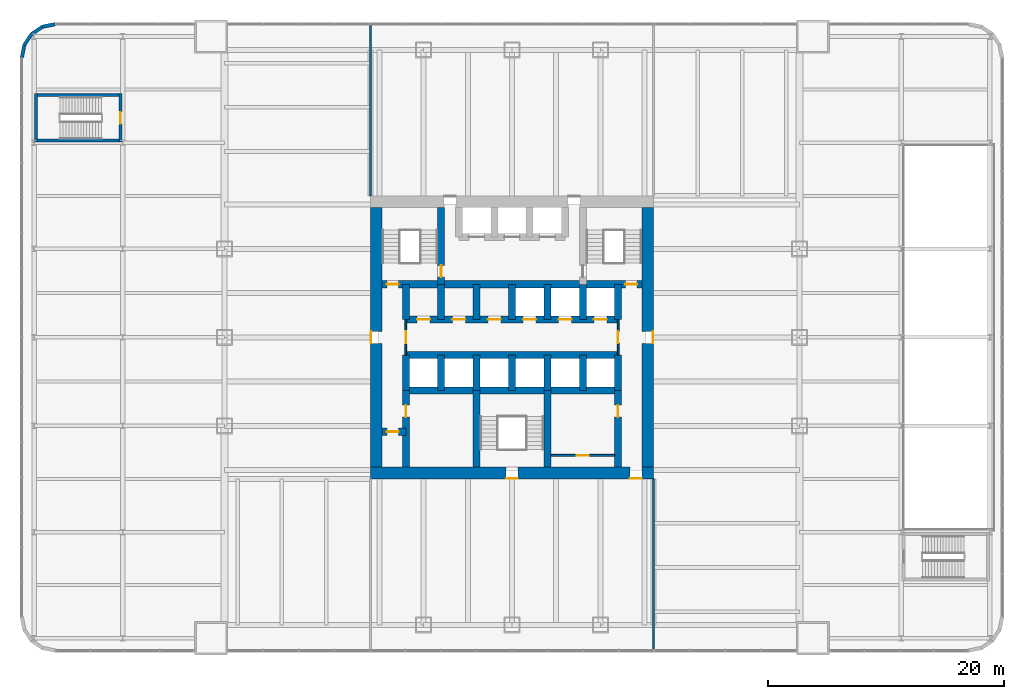
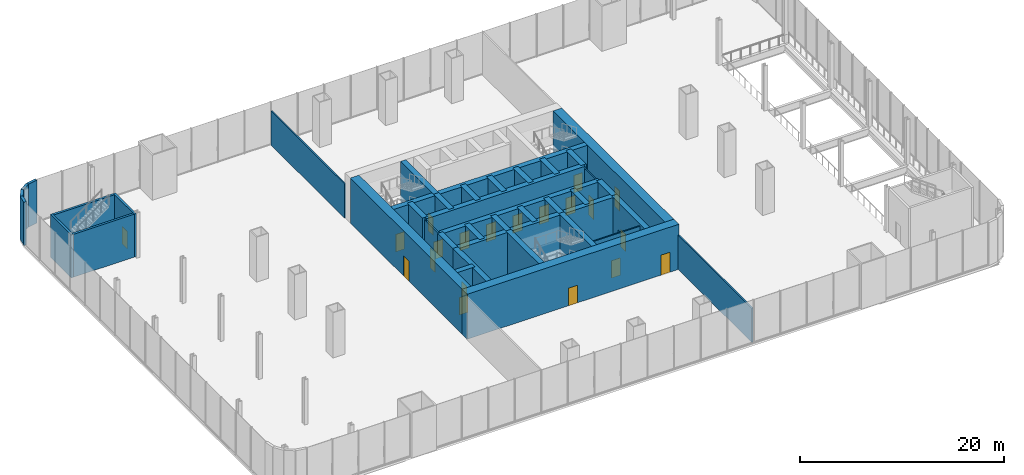
# One storey, part 12 of 16: 40 walls, 20 doors, 20 openings.
"""IFC4 building model written with IfcOpenShell, lengths in metres."""

import ifcopenshell
import ifcopenshell.guid

model = None  # the IFC model being written
_history = None  # IfcOwnerHistory: only IFC2X3 demands one
_inside = {}  # id of a spatial element -> (the spatial element, [elements in it])
_under = {}  # id of a project, library or spatial element -> (it, [spatial elements below it])
_declared = {}  # id of a project -> (the project, [libraries it declares])
_typed = {}  # id of a type object -> (the type object, [elements of that type])
_made_of = {}  # id of a material, layer set ... -> (it, [elements and type objects made of it])


def new_model(schema):
    """Start an empty IFC model of exactly this schema.

    Asked for "IFC4X3", IfcOpenShell would pick the latest addendum, in which some entities
    have other attributes; the version numbers below select the first issue.
    IFC2X3 requires an IfcOwnerHistory on every rooted entity: one is made here for all.
    """
    global model, _history
    if schema == "IFC4X3":
        model = ifcopenshell.file(schema_version=(4, 3, 0, 0))
    else:
        model = ifcopenshell.file(schema=schema)
    _inside.clear()
    _under.clear()
    _declared.clear()
    _typed.clear()
    _made_of.clear()
    _history = None
    if model.schema == "IFC2X3":
        org = make("IfcOrganization", Name="unknown")
        user = make(
            "IfcPersonAndOrganization",
            ThePerson=make("IfcPerson", FamilyName="unknown"),
            TheOrganization=org,
        )
        app = make(
            "IfcApplication",
            ApplicationDeveloper=org,
            Version="unknown",
            ApplicationFullName="unknown",
            ApplicationIdentifier="unknown",
        )
        _history = make(
            "IfcOwnerHistory",
            OwningUser=user,
            OwningApplication=app,
            ChangeAction="ADDED",
            CreationDate=0,
        )
    return model


def make(cls, **values):
    """One entity of the class cls with the attributes given. An attribute that is None is left unset."""
    return model.create_entity(
        cls, **{name: value for name, value in values.items() if value is not None}
    )


def rooted(cls, **values):
    """An entity with a GlobalId (a new one), such as an element, a storey or a relation."""
    return make(cls, GlobalId=ifcopenshell.guid.new(), OwnerHistory=_history, **values)


def si_unit(unit_type, name, prefix=None):
    """IfcSIUnit, for example si_unit("LENGTHUNIT", "METRE", prefix="MILLI")."""
    return make("IfcSIUnit", UnitType=unit_type, Prefix=prefix, Name=name)


def assignment(units):
    """IfcUnitAssignment: the units of a project."""
    return None if units is None else make("IfcUnitAssignment", Units=units)


def point(xyz):
    """IfcCartesianPoint."""
    return None if xyz is None else make("IfcCartesianPoint", Coordinates=xyz)


def direction(xyz):
    """IfcDirection."""
    return None if xyz is None else make("IfcDirection", DirectionRatios=xyz)


def frame(location, z_axis=None, x_axis=None):
    """IfcAxis2Placement3D, a coordinate frame: its origin and axes. An axis left out is left unset."""
    return make(
        "IfcAxis2Placement3D",
        Location=point(location),
        Axis=direction(z_axis),
        RefDirection=direction(x_axis),
    )


def frame_2d(location, x_axis=None):
    """IfcAxis2Placement2D, a coordinate frame in the plane: its origin and x axis."""
    return make(
        "IfcAxis2Placement2D", Location=point(location), RefDirection=direction(x_axis)
    )


def origin():
    """The frame at (0, 0, 0) with its axes left unset."""
    return frame((0.0, 0.0, 0.0))


def place(relative_to, where):
    """IfcLocalPlacement: puts the frame where relative to a parent placement (None: the world)."""
    return make(
        "IfcLocalPlacement", PlacementRelTo=relative_to, RelativePlacement=where
    )


def context(
    kind, dimensions, precision=None, world=None, true_north=None, identifier=None
):
    """IfcGeometricRepresentationContext, for example the 3D "Model" context."""
    return make(
        "IfcGeometricRepresentationContext",
        ContextIdentifier=identifier,
        ContextType=kind,
        CoordinateSpaceDimension=dimensions,
        Precision=precision,
        WorldCoordinateSystem=world,
        TrueNorth=true_north,
    )


def subcontext(parent, identifier, kind, view, scale=None):
    """IfcGeometricRepresentationSubContext, for example "Body" below "Model"."""
    return make(
        "IfcGeometricRepresentationSubContext",
        ContextIdentifier=identifier,
        ContextType=kind,
        ParentContext=parent,
        TargetScale=scale,
        TargetView=view,
    )


def project(units=None, contexts=None):
    """IfcProject with its units and contexts."""
    return rooted(
        "IfcProject",
        Name="project",
        RepresentationContexts=contexts,
        UnitsInContext=assignment(units),
    )


def spatial(cls, under=None, at=None, **own):
    """A site, building, storey or space (cls), placed at a placement, below another one or the project."""
    s = rooted(cls, ObjectPlacement=at, **own)
    if under is not None:
        _under.setdefault(under.id(), (under, []))[1].append(s)
    return s


def profile(cls, at=None, kind="AREA", **sizes):
    """A parametric profile (cls). Its sizes go by their IFC names, for example OverallWidth=200.0."""
    return make(cls, ProfileType=kind, Position=at, **sizes)


def rectangle(**sizes):
    """IfcRectangleProfileDef."""
    return profile("IfcRectangleProfileDef", **sizes)


def extrude(swept, where, along, depth):
    """IfcExtrudedAreaSolid: the profile swept, set in the frame where, extruded along a direction by depth."""
    return make(
        "IfcExtrudedAreaSolid",
        SweptArea=swept,
        Position=where,
        ExtrudedDirection=direction(along),
        Depth=depth,
    )


def shape(context_of_items, identifier, shape_type, items):
    """IfcShapeRepresentation: the items that make up one representation, for example the "Body"."""
    return make(
        "IfcShapeRepresentation",
        ContextOfItems=context_of_items,
        RepresentationIdentifier=identifier,
        RepresentationType=shape_type,
        Items=items,
    )


def material(Name=None, Category=None):
    """IfcMaterial."""
    return make("IfcMaterial", Name=Name, Category=Category)


def layer(
    of_material, thickness, ventilated=None, Name=None, Category=None, Priority=None
):
    """IfcMaterialLayer: one layer of a wall or slab, of a material (None: an air gap)."""
    return make(
        "IfcMaterialLayer",
        Material=of_material,
        LayerThickness=thickness,
        IsVentilated=ventilated,
        Name=Name,
        Category=Category,
        Priority=Priority,
    )


def layer_set(layers, Name=None):
    """IfcMaterialLayerSet."""
    return make("IfcMaterialLayerSet", MaterialLayers=layers, LayerSetName=Name)


def made_of(thing, what):
    """Note that an element or type object is made of a material, layer set ...; save() writes the relation."""
    if what is not None:
        _made_of.setdefault(what.id(), (what, []))[1].append(thing)
    return thing


def type_object(cls, material=None, **own):
    """A type object (cls), such as IfcWallType, which elements share."""
    return made_of(rooted(cls, **own), material)


def element(
    cls,
    number,
    at=None,
    inside=None,
    cuts=None,
    type_object=None,
    material=None,
    context=None,
    identifier="Body",
    shape_type=None,
    held_by="IfcProductDefinitionShape",
    body=None,
    shapes=None,
    **own,
):
    """One element of the class cls, such as IfcWall. Its Tag is "e" and its number.

    at: its placement. inside: the storey or other place that contains it. cuts: it is an
    opening in that element (IfcRelVoidsElement). A single representation is given by context,
    identifier, shape_type and body (its items); several are given by shapes. held_by: the class
    of the entity that holds the representations. save() writes the other relations.
    """
    e = rooted(cls, Tag="e%d" % number, ObjectPlacement=at, **own)
    if body is not None:
        shapes = [shape(context, identifier, shape_type, body)]
    if shapes is not None:
        e.Representation = make(held_by, Representations=shapes)
    if inside is not None:
        _inside.setdefault(inside.id(), (inside, []))[1].append(e)
    if cuts is not None:
        rooted(
            "IfcRelVoidsElement", RelatingBuildingElement=cuts, RelatedOpeningElement=e
        )
    if type_object is not None:
        _typed.setdefault(type_object.id(), (type_object, []))[1].append(e)
    return made_of(e, material)


def fill(opening, filler):
    """IfcRelFillsElement: the door or window that sits in an opening."""
    return rooted(
        "IfcRelFillsElement",
        RelatingOpeningElement=opening,
        RelatedBuildingElement=filler,
    )


def aggregate(whole, parts):
    """IfcRelAggregates: a whole, such as a stair, and the parts it consists of."""
    return rooted("IfcRelAggregates", RelatingObject=whole, RelatedObjects=parts)


def save(model, path):
    """Write the relations noted so far, then the file.

    IfcRelAggregates (storeys below a building ...), IfcRelContainedInSpatialStructure (elements
    in a storey), IfcRelDefinesByType, IfcRelAssociatesMaterial and IfcRelDeclares: one each for
    every whole, place, type object, material and project.
    """
    for whole, parts in _under.values():
        aggregate(whole, parts)
    for where, things in _inside.values():
        rooted(
            "IfcRelContainedInSpatialStructure",
            RelatedElements=things,
            RelatingStructure=where,
        )
    for kind, things in _typed.values():
        rooted("IfcRelDefinesByType", RelatedObjects=things, RelatingType=kind)
    for what, things in _made_of.values():
        rooted("IfcRelAssociatesMaterial", RelatedObjects=things, RelatingMaterial=what)
    for by, libraries in _declared.values():
        rooted("IfcRelDeclares", RelatingContext=by, RelatedDefinitions=libraries)
    model.write(path)


model = new_model("IFC4")

# Units and contexts
model_context = context("Model", 3, precision=1e-05, world=origin(), true_north=direction((0.0, 1.0)))
body_context = subcontext(model_context, "Body", "Model", "MODEL_VIEW")
ifc_project = project(units=[si_unit("LENGTHUNIT", "METRE"), si_unit("AREAUNIT", "SQUARE_METRE"), si_unit("VOLUMEUNIT", "CUBIC_METRE"), si_unit("PLANEANGLEUNIT", "RADIAN"), si_unit("MASSUNIT", "GRAM", prefix="KILO")], contexts=[model_context])

# Site, building, storey
site_placement = place(None, origin())
site = spatial("IfcSite", under=ifc_project, at=site_placement, CompositionType="ELEMENT")
building_placement = place(site_placement, origin())
building = spatial("IfcBuilding", under=site, at=building_placement, Name="Tarangal Relay Tower", CompositionType="ELEMENT")
storey_placement = place(building_placement, frame((0.0, 0.0, 7.199951171875)))
storey = spatial("IfcBuildingStorey", under=building, at=storey_placement, Name="L01", CompositionType="ELEMENT", Elevation=7.199951171875)

# Wall, openings, doors
ifc_material_1 = material(Name="Concrete fc' 60 MPa", Category="concrete")
ifc_layer_1 = layer(ifc_material_1, 0.60009765625)
ifc_layer_set_1 = layer_set([ifc_layer_1], Name="Core inner wall 600")
wall_type_1 = type_object("IfcWallType", Name="Core inner wall 600", PredefinedType="SHEAR", material=ifc_layer_set_1)
wall_1_placement = place(storey_placement, frame((-11.0, 4.5, 0.0), z_axis=(0.0, 0.0, 1.0), x_axis=(1.0, 0.0, 0.0)))
wall_1 = element("IfcWall", 1, at=wall_1_placement, inside=storey, type_object=wall_type_1, Name="Core wall Y45 L01", PredefinedType="SHEAR", context=body_context, shape_type="SweptSolid", body=[
    extrude(rectangle(XDim=22.0, YDim=0.60009765625, at=frame_2d((11.0, 0.0))), origin(), (0.0, 0.0, 1.0), 5.400146484375),
])
opening_1_placement = place(wall_1_placement, frame((0.39990234375, 0.0, 0.0)))
opening_1 = element("IfcOpeningElement", 2, at=opening_1_placement, cuts=wall_1, Name="Opening FD1", PredefinedType="OPENING", context=body_context, shape_type="SweptSolid", body=[
    extrude(rectangle(XDim=1.0, YDim=2.10009765625, at=frame_2d((0.5, 1.050048828125))), frame((0.0, 0.31005859375, 0.0), z_axis=(0.0, -1.0, 0.0), x_axis=(1.0, 0.0, 0.0)), (0.0, 0.0, 1.0), 0.6201171875),
])
opening_2_placement = place(wall_1_placement, frame((20.60009765625, 0.0, 0.0)))
opening_2 = element("IfcOpeningElement", 3, at=opening_2_placement, cuts=wall_1, Name="Opening FD1", PredefinedType="OPENING", context=body_context, shape_type="SweptSolid", body=[
    extrude(rectangle(XDim=1.0, YDim=2.10009765625, at=frame_2d((0.5, 1.050048828125))), frame((0.0, 0.31005859375, 0.0), z_axis=(0.0, -1.0, 0.0), x_axis=(1.0, 0.0, 0.0)), (0.0, 0.0, 1.0), 0.6201171875),
])
ifc_material_2 = material(Name="Steel door with hardwood frame", Category="steel")
door_type_1 = type_object("IfcDoorType", Name="Fire door 1000 x 2100", OperationType="SINGLE_SWING_LEFT", PredefinedType="DOOR", material=ifc_material_2)
door_1_placement = place(opening_1_placement, origin())
door_1 = element("IfcDoor", 4, at=door_1_placement, inside=storey, type_object=door_type_1, Name="Stair ST-A door from corridor L01", OperationType="SINGLE_SWING_LEFT", OverallHeight=2.10009765625, OverallWidth=1.0, PredefinedType="DOOR", context=body_context, shape_type="SweptSolid", body=[
    extrude(rectangle(XDim=1.0, YDim=2.10009765625, at=frame_2d((0.5, 1.050048828125))), frame((0.0, 0.02490234375, 0.0), z_axis=(0.0, -1.0, 0.0), x_axis=(1.0, 0.0, 0.0)), (0.0, 0.0, 1.0), 0.050048828125),
])
fill(opening_1, door_1)
door_2_placement = place(opening_2_placement, origin())
door_2 = element("IfcDoor", 5, at=door_2_placement, inside=storey, type_object=door_type_1, Name="Stair ST-B door from corridor L01", OperationType="SINGLE_SWING_LEFT", OverallHeight=2.10009765625, OverallWidth=1.0, PredefinedType="DOOR", context=body_context, shape_type="SweptSolid", body=[
    extrude(rectangle(XDim=1.0, YDim=2.10009765625, at=frame_2d((0.5, 1.050048828125))), frame((0.0, 0.02490234375, 0.0), z_axis=(0.0, -1.0, 0.0), x_axis=(1.0, 0.0, 0.0)), (0.0, 0.0, 1.0), 0.050048828125),
])
fill(opening_2, door_2)

wall_2_placement = place(storey_placement, frame((-9.0, 1.5, 0.0), z_axis=(0.0, 0.0, 1.0), x_axis=(1.0, 0.0, 0.0)))
wall_2 = element("IfcWall", 6, at=wall_2_placement, inside=storey, type_object=wall_type_1, Name="Core wall Y15 L01", PredefinedType="SHEAR", context=body_context, shape_type="SweptSolid", body=[
    extrude(rectangle(XDim=18.0, YDim=0.60009765625, at=frame_2d((9.0, 0.0))), origin(), (0.0, 0.0, 1.0), 5.400146484375),
])
opening_3_placement = place(wall_2_placement, frame((9.949951171875, 0.0, 0.0)))
opening_3 = element("IfcOpeningElement", 7, at=opening_3_placement, cuts=wall_2, Name="Opening LD1", PredefinedType="OPENING", context=body_context, shape_type="SweptSolid", body=[
    extrude(rectangle(XDim=1.10009765625, YDim=2.10009765625, at=frame_2d((0.550048828125, 1.050048828125))), frame((0.0, 0.31005859375, 0.0), z_axis=(0.0, -1.0, 0.0), x_axis=(1.0, 0.0, 0.0)), (0.0, 0.0, 1.0), 0.6201171875),
])
opening_4_placement = place(wall_2_placement, frame((12.949951171875, 0.0, 0.0)))
opening_4 = element("IfcOpeningElement", 8, at=opening_4_placement, cuts=wall_2, Name="Opening LD1", PredefinedType="OPENING", context=body_context, shape_type="SweptSolid", body=[
    extrude(rectangle(XDim=1.10009765625, YDim=2.10009765625, at=frame_2d((0.550048828125, 1.050048828125))), frame((0.0, 0.31005859375, 0.0), z_axis=(0.0, -1.0, 0.0), x_axis=(1.0, 0.0, 0.0)), (0.0, 0.0, 1.0), 0.6201171875),
])
opening_5_placement = place(wall_2_placement, frame((15.949951171875, 0.0, 0.0)))
opening_5 = element("IfcOpeningElement", 9, at=opening_5_placement, cuts=wall_2, Name="Opening LD1", PredefinedType="OPENING", context=body_context, shape_type="SweptSolid", body=[
    extrude(rectangle(XDim=1.10009765625, YDim=2.10009765625, at=frame_2d((0.550048828125, 1.050048828125))), frame((0.0, 0.31005859375, 0.0), z_axis=(0.0, -1.0, 0.0), x_axis=(1.0, 0.0, 0.0)), (0.0, 0.0, 1.0), 0.6201171875),
])
opening_6_placement = place(wall_2_placement, frame((0.949951171875, 0.0, 0.0)))
opening_6 = element("IfcOpeningElement", 10, at=opening_6_placement, cuts=wall_2, Name="Opening D4", PredefinedType="OPENING", context=body_context, shape_type="SweptSolid", body=[
    extrude(rectangle(XDim=1.10009765625, YDim=2.10009765625, at=frame_2d((0.550048828125, 1.050048828125))), frame((0.0, 0.31005859375, 0.0), z_axis=(0.0, -1.0, 0.0), x_axis=(1.0, 0.0, 0.0)), (0.0, 0.0, 1.0), 0.6201171875),
])
opening_7_placement = place(wall_2_placement, frame((3.949951171875, 0.0, 0.0)))
opening_7 = element("IfcOpeningElement", 11, at=opening_7_placement, cuts=wall_2, Name="Opening D4", PredefinedType="OPENING", context=body_context, shape_type="SweptSolid", body=[
    extrude(rectangle(XDim=1.10009765625, YDim=2.10009765625, at=frame_2d((0.550048828125, 1.050048828125))), frame((0.0, 0.31005859375, 0.0), z_axis=(0.0, -1.0, 0.0), x_axis=(1.0, 0.0, 0.0)), (0.0, 0.0, 1.0), 0.6201171875),
])
opening_8_placement = place(wall_2_placement, frame((6.949951171875, 0.0, 0.0)))
opening_8 = element("IfcOpeningElement", 12, at=opening_8_placement, cuts=wall_2, Name="Opening D4", PredefinedType="OPENING", context=body_context, shape_type="SweptSolid", body=[
    extrude(rectangle(XDim=1.10009765625, YDim=2.10009765625, at=frame_2d((0.550048828125, 1.050048828125))), frame((0.0, 0.31005859375, 0.0), z_axis=(0.0, -1.0, 0.0), x_axis=(1.0, 0.0, 0.0)), (0.0, 0.0, 1.0), 0.6201171875),
])
door_type_2 = type_object("IfcDoorType", Name="Core room door 1100 x 2100", OperationType="SINGLE_SWING_RIGHT", PredefinedType="DOOR", material=ifc_material_2)
door_3_placement = place(opening_6_placement, origin())
door_3 = element("IfcDoor", 13, at=door_3_placement, inside=storey, type_object=door_type_2, Name="Door D4 to it room L01-D1", OperationType="SINGLE_SWING_RIGHT", OverallHeight=2.10009765625, OverallWidth=1.10009765625, PredefinedType="DOOR", context=body_context, shape_type="SweptSolid", body=[
    extrude(rectangle(XDim=1.10009765625, YDim=2.10009765625, at=frame_2d((0.550048828125, 1.050048828125))), frame((0.0, 0.02490234375, 0.0), z_axis=(0.0, -1.0, 0.0), x_axis=(1.0, 0.0, 0.0)), (0.0, 0.0, 1.0), 0.050048828125),
])
fill(opening_6, door_3)
door_4_placement = place(opening_7_placement, origin())
door_4 = element("IfcDoor", 14, at=door_4_placement, inside=storey, type_object=door_type_2, Name="Door D4 to back-of-house plant room L01-D2", OperationType="SINGLE_SWING_RIGHT", OverallHeight=2.10009765625, OverallWidth=1.10009765625, PredefinedType="DOOR", context=body_context, shape_type="SweptSolid", body=[
    extrude(rectangle(XDim=1.10009765625, YDim=2.10009765625, at=frame_2d((0.550048828125, 1.050048828125))), frame((0.0, 0.02490234375, 0.0), z_axis=(0.0, -1.0, 0.0), x_axis=(1.0, 0.0, 0.0)), (0.0, 0.0, 1.0), 0.050048828125),
])
fill(opening_7, door_4)
door_5_placement = place(opening_8_placement, origin())
door_5 = element("IfcDoor", 15, at=door_5_placement, inside=storey, type_object=door_type_2, Name="Door D4 to staff pantry L01-D3", OperationType="SINGLE_SWING_RIGHT", OverallHeight=2.10009765625, OverallWidth=1.10009765625, PredefinedType="DOOR", context=body_context, shape_type="SweptSolid", body=[
    extrude(rectangle(XDim=1.10009765625, YDim=2.10009765625, at=frame_2d((0.550048828125, 1.050048828125))), frame((0.0, 0.02490234375, 0.0), z_axis=(0.0, -1.0, 0.0), x_axis=(1.0, 0.0, 0.0)), (0.0, 0.0, 1.0), 0.050048828125),
])
fill(opening_8, door_5)
door_type_3 = type_object("IfcDoorType", Name="Lift landing door 1100 x 2100", OperationType="SLIDING_TO_LEFT", PredefinedType="DOOR", material=ifc_material_2)
door_6_placement = place(opening_3_placement, origin())
door_6 = element("IfcDoor", 16, at=door_6_placement, inside=storey, type_object=door_type_3, Name="Lift T1 landing door L01", OperationType="SLIDING_TO_LEFT", OverallHeight=2.10009765625, OverallWidth=1.10009765625, PredefinedType="DOOR", context=body_context, shape_type="SweptSolid", body=[
    extrude(rectangle(XDim=1.10009765625, YDim=2.10009765625, at=frame_2d((0.550048828125, 1.050048828125))), frame((0.0, 0.02490234375, 0.0), z_axis=(0.0, -1.0, 0.0), x_axis=(1.0, 0.0, 0.0)), (0.0, 0.0, 1.0), 0.050048828125),
])
fill(opening_3, door_6)
door_7_placement = place(opening_4_placement, origin())
door_7 = element("IfcDoor", 17, at=door_7_placement, inside=storey, type_object=door_type_3, Name="Lift T2 landing door L01", OperationType="SLIDING_TO_LEFT", OverallHeight=2.10009765625, OverallWidth=1.10009765625, PredefinedType="DOOR", context=body_context, shape_type="SweptSolid", body=[
    extrude(rectangle(XDim=1.10009765625, YDim=2.10009765625, at=frame_2d((0.550048828125, 1.050048828125))), frame((0.0, 0.02490234375, 0.0), z_axis=(0.0, -1.0, 0.0), x_axis=(1.0, 0.0, 0.0)), (0.0, 0.0, 1.0), 0.050048828125),
])
fill(opening_4, door_7)
door_8_placement = place(opening_5_placement, origin())
door_8 = element("IfcDoor", 18, at=door_8_placement, inside=storey, type_object=door_type_3, Name="Lift T3 landing door L01", OperationType="SLIDING_TO_LEFT", OverallHeight=2.10009765625, OverallWidth=1.10009765625, PredefinedType="DOOR", context=body_context, shape_type="SweptSolid", body=[
    extrude(rectangle(XDim=1.10009765625, YDim=2.10009765625, at=frame_2d((0.550048828125, 1.050048828125))), frame((0.0, 0.02490234375, 0.0), z_axis=(0.0, -1.0, 0.0), x_axis=(1.0, 0.0, 0.0)), (0.0, 0.0, 1.0), 0.050048828125),
])
fill(opening_5, door_8)

# Walls
for number, where, z_axis, x_axis, name in (
    (19, (-9.0, -1.5, 0.0), (0.0, 0.0, 1.0), (1.0, 0.0, 0.0), "Core wall YM15 L01"),
    (20, (-9.0, -4.5, 0.0), (0.0, 0.0, 1.0), (1.0, 0.0, 0.0), "Core wall YM45 L01"),
):
    element("IfcWall", number, at=place(storey_placement, frame(where, z_axis=z_axis, x_axis=x_axis)), inside=storey, type_object=wall_type_1, Name=name, PredefinedType="SHEAR", context=body_context, shape_type="SweptSolid", body=[
        extrude(rectangle(XDim=18.0, YDim=0.60009765625, at=frame_2d((9.0, 0.0))), origin(), (0.0, 0.0, 1.0), 5.400146484375),
    ])

# Wall, opening, door
wall_3_placement = place(storey_placement, frame((-11.0, -8.0, 0.0), z_axis=(0.0, 0.0, 1.0), x_axis=(1.0, 0.0, 0.0)))
wall_3 = element("IfcWall", 21, at=wall_3_placement, inside=storey, type_object=wall_type_1, Name="Core wall YM8 L01", PredefinedType="SHEAR", context=body_context, shape_type="SweptSolid", body=[
    extrude(rectangle(XDim=2.0, YDim=0.60009765625, at=frame_2d((1.0, 0.0))), origin(), (0.0, 0.0, 1.0), 5.400146484375),
])
opening_9_placement = place(wall_3_placement, frame((0.39990234375, 0.0, 0.0)))
opening_9 = element("IfcOpeningElement", 22, at=opening_9_placement, cuts=wall_3, Name="Opening D1", PredefinedType="OPENING", context=body_context, shape_type="SweptSolid", body=[
    extrude(rectangle(XDim=1.0, YDim=2.10009765625, at=frame_2d((0.5, 1.050048828125))), frame((0.0, 0.31005859375, 0.0), z_axis=(0.0, -1.0, 0.0), x_axis=(1.0, 0.0, 0.0)), (0.0, 0.0, 1.0), 0.6201171875),
])
ifc_material_3 = material(Name="Hardwood door", Category="wood")
door_type_4 = type_object("IfcDoorType", Name="WC door 1000 x 2100", OperationType="SINGLE_SWING_LEFT", PredefinedType="DOOR", material=ifc_material_3)
door_9_placement = place(opening_9_placement, origin())
door_9 = element("IfcDoor", 23, at=door_9_placement, inside=storey, type_object=door_type_4, Name="Accessible WC door L01", OperationType="SINGLE_SWING_LEFT", OverallHeight=2.10009765625, OverallWidth=1.0, PredefinedType="DOOR", context=body_context, shape_type="SweptSolid", body=[
    extrude(rectangle(XDim=1.0, YDim=2.10009765625, at=frame_2d((0.5, 1.050048828125))), frame((0.0, 0.02490234375, 0.0), z_axis=(0.0, -1.0, 0.0), x_axis=(1.0, 0.0, 0.0)), (0.0, 0.0, 1.0), 0.050048828125),
])
fill(opening_9, door_9)

# Walls
for number, where, z_axis, x_axis, name in (
    (24, (-9.0, 1.5, 0.0), (0.0, 0.0, 1.0), (0.0, 1.0, 0.0), "Core wall XM9N L01"),
    (25, (9.0, 1.5, 0.0), (0.0, 0.0, 1.0), (0.0, 1.0, 0.0), "Core wall X9N L01"),
    (26, (-9.0, -4.5, 0.0), (0.0, 0.0, 1.0), (0.0, 1.0, 0.0), "Core wall XM9S L01"),
    (27, (9.0, -4.5, 0.0), (0.0, 0.0, 1.0), (0.0, 1.0, 0.0), "Core wall X9S L01"),
    (28, (-6.0, 1.5, 0.0), (0.0, 0.0, 1.0), (0.0, 1.0, 0.0), "Core wall XM6N L01"),
    (29, (-3.0, 1.5, 0.0), (0.0, 0.0, 1.0), (0.0, 1.0, 0.0), "Core wall XM3N L01"),
    (30, (0.0, 1.5, 0.0), (0.0, 0.0, 1.0), (0.0, 1.0, 0.0), "Core wall X0N L01"),
    (31, (3.0, 1.5, 0.0), (0.0, 0.0, 1.0), (0.0, 1.0, 0.0), "Core wall X3N L01"),
    (32, (6.0, 1.5, 0.0), (0.0, 0.0, 1.0), (0.0, 1.0, 0.0), "Core wall X6N L01"),
    (33, (-6.0, -4.5, 0.0), (0.0, 0.0, 1.0), (0.0, 1.0, 0.0), "Core wall XM6S L01"),
    (34, (-3.0, -4.5, 0.0), (0.0, 0.0, 1.0), (0.0, 1.0, 0.0), "Core wall XM3S L01"),
    (35, (0.0, -4.5, 0.0), (0.0, 0.0, 1.0), (0.0, 1.0, 0.0), "Core wall X0S L01"),
    (36, (3.0, -4.5, 0.0), (0.0, 0.0, 1.0), (0.0, 1.0, 0.0), "Core wall X3S L01"),
    (37, (6.0, -4.5, 0.0), (0.0, 0.0, 1.0), (0.0, 1.0, 0.0), "Core wall X6S L01"),
):
    element("IfcWall", number, at=place(storey_placement, frame(where, z_axis=z_axis, x_axis=x_axis)), inside=storey, type_object=wall_type_1, Name=name, PredefinedType="SHEAR", context=body_context, shape_type="SweptSolid", body=[
        extrude(rectangle(XDim=3.0, YDim=0.60009765625, at=frame_2d((1.5, 0.0))), origin(), (0.0, 0.0, 1.0), 5.400146484375),
    ])

# Wall, opening, door
wall_4_placement = place(storey_placement, frame((-6.0, 4.5, 0.0), z_axis=(0.0, 0.0, 1.0), x_axis=(0.0, 1.0, 0.0)))
wall_4 = element("IfcWall", 38, at=wall_4_placement, inside=storey, type_object=wall_type_1, Name="Core wall XM6 L01", PredefinedType="SHEAR", context=body_context, shape_type="SweptSolid", body=[
    extrude(rectangle(XDim=6.5, YDim=0.60009765625, at=frame_2d((3.25, 0.0))), origin(), (0.0, 0.0, 1.0), 5.400146484375),
])
opening_10_placement = place(wall_4_placement, frame((0.60009765625, 0.0, 0.0)))
opening_10 = element("IfcOpeningElement", 39, at=opening_10_placement, cuts=wall_4, Name="Opening FD1", PredefinedType="OPENING", context=body_context, shape_type="SweptSolid", body=[
    extrude(rectangle(XDim=1.0, YDim=2.10009765625, at=frame_2d((0.5, 1.050048828125))), frame((0.0, 0.31005859375, 0.0), z_axis=(0.0, -1.0, 0.0), x_axis=(1.0, 0.0, 0.0)), (0.0, 0.0, 1.0), 0.6201171875),
])
door_10_placement = place(opening_10_placement, origin())
door_10 = element("IfcDoor", 40, at=door_10_placement, inside=storey, type_object=door_type_1, Name="Stair ST-A door from fire-fighting lobby L01", OperationType="SINGLE_SWING_LEFT", OverallHeight=2.10009765625, OverallWidth=1.0, PredefinedType="DOOR", context=body_context, shape_type="SweptSolid", body=[
    extrude(rectangle(XDim=1.0, YDim=2.10009765625, at=frame_2d((0.5, 1.050048828125))), frame((0.0, 0.02490234375, 0.0), z_axis=(0.0, -1.0, 0.0), x_axis=(1.0, 0.0, 0.0)), (0.0, 0.0, 1.0), 0.050048828125),
])
fill(opening_10, door_10)

wall_5_placement = place(storey_placement, frame((-9.0, -11.0, 0.0), z_axis=(0.0, 0.0, 1.0), x_axis=(0.0, 1.0, 0.0)))
wall_5 = element("IfcWall", 41, at=wall_5_placement, inside=storey, type_object=wall_type_1, Name="Core wall XM9W L01", PredefinedType="SHEAR", context=body_context, shape_type="SweptSolid", body=[
    extrude(rectangle(XDim=6.5, YDim=0.60009765625, at=frame_2d((3.25, 0.0))), origin(), (0.0, 0.0, 1.0), 5.400146484375),
])
opening_11_placement = place(wall_5_placement, frame((4.25, 0.0, 0.0)))
opening_11 = element("IfcOpeningElement", 42, at=opening_11_placement, cuts=wall_5, Name="Opening D1", PredefinedType="OPENING", context=body_context, shape_type="SweptSolid", body=[
    extrude(rectangle(XDim=1.0, YDim=2.10009765625, at=frame_2d((0.5, 1.050048828125))), frame((0.0, 0.31005859375, 0.0), z_axis=(0.0, -1.0, 0.0), x_axis=(1.0, 0.0, 0.0)), (0.0, 0.0, 1.0), 0.6201171875),
])
door_11_placement = place(opening_11_placement, origin())
door_11 = element("IfcDoor", 43, at=door_11_placement, inside=storey, type_object=door_type_4, Name="Male WC door L01", OperationType="SINGLE_SWING_LEFT", OverallHeight=2.10009765625, OverallWidth=1.0, PredefinedType="DOOR", context=body_context, shape_type="SweptSolid", body=[
    extrude(rectangle(XDim=1.0, YDim=2.10009765625, at=frame_2d((0.5, 1.050048828125))), frame((0.0, 0.02490234375, 0.0), z_axis=(0.0, -1.0, 0.0), x_axis=(1.0, 0.0, 0.0)), (0.0, 0.0, 1.0), 0.050048828125),
])
fill(opening_11, door_11)

wall_6_placement = place(storey_placement, frame((9.0, -11.0, 0.0), z_axis=(0.0, 0.0, 1.0), x_axis=(0.0, 1.0, 0.0)))
wall_6 = element("IfcWall", 44, at=wall_6_placement, inside=storey, type_object=wall_type_1, Name="Core wall X9W L01", PredefinedType="SHEAR", context=body_context, shape_type="SweptSolid", body=[
    extrude(rectangle(XDim=6.5, YDim=0.60009765625, at=frame_2d((3.25, 0.0))), origin(), (0.0, 0.0, 1.0), 5.400146484375),
])
opening_12_placement = place(wall_6_placement, frame((4.25, 0.0, 0.0)))
opening_12 = element("IfcOpeningElement", 45, at=opening_12_placement, cuts=wall_6, Name="Opening D1", PredefinedType="OPENING", context=body_context, shape_type="SweptSolid", body=[
    extrude(rectangle(XDim=1.0, YDim=2.10009765625, at=frame_2d((0.5, 1.050048828125))), frame((0.0, 0.31005859375, 0.0), z_axis=(0.0, -1.0, 0.0), x_axis=(1.0, 0.0, 0.0)), (0.0, 0.0, 1.0), 0.6201171875),
])
door_12_placement = place(opening_12_placement, origin())
door_12 = element("IfcDoor", 46, at=door_12_placement, inside=storey, type_object=door_type_4, Name="Female WC door L01", OperationType="SINGLE_SWING_LEFT", OverallHeight=2.10009765625, OverallWidth=1.0, PredefinedType="DOOR", context=body_context, shape_type="SweptSolid", body=[
    extrude(rectangle(XDim=1.0, YDim=2.10009765625, at=frame_2d((0.5, 1.050048828125))), frame((0.0, 0.02490234375, 0.0), z_axis=(0.0, -1.0, 0.0), x_axis=(1.0, 0.0, 0.0)), (0.0, 0.0, 1.0), 0.050048828125),
])
fill(opening_12, door_12)

# Walls
for number, where, z_axis, x_axis, name in (
    (47, (-3.0, -11.0, 0.0), (0.0, 0.0, 1.0), (0.0, 1.0, 0.0), "Core wall XM3W L01"),
    (48, (3.0, -11.0, 0.0), (0.0, 0.0, 1.0), (0.0, 1.0, 0.0), "Core wall X3W L01"),
):
    element("IfcWall", number, at=place(storey_placement, frame(where, z_axis=z_axis, x_axis=x_axis)), inside=storey, type_object=wall_type_1, Name=name, PredefinedType="SHEAR", context=body_context, shape_type="SweptSolid", body=[
        extrude(rectangle(XDim=6.5, YDim=0.60009765625, at=frame_2d((3.25, 0.0))), origin(), (0.0, 0.0, 1.0), 5.400146484375),
    ])

# Wall, openings, doors
ifc_layer_2 = layer(ifc_material_1, 1.0)
ifc_layer_set_2 = layer_set([ifc_layer_2], Name="Core wall 1000")
wall_type_2 = type_object("IfcWallType", Name="Core wall 1000", PredefinedType="SHEAR", material=ifc_layer_set_2)
wall_7_placement = place(storey_placement, frame((12.0, -11.5, 0.0), z_axis=(0.0, 0.0, 1.0), x_axis=(-1.0, 0.0, 0.0)))
wall_7 = element("IfcWall", 49, at=wall_7_placement, inside=storey, type_object=wall_type_2, Name="Core wall S L01", PredefinedType="SHEAR", context=body_context, shape_type="SweptSolid", body=[
    extrude(rectangle(XDim=24.0, YDim=1.0, at=frame_2d((12.0, 0.0))), origin(), (0.0, 0.0, 1.0), 5.400146484375),
])
opening_13_placement = place(wall_7_placement, frame((11.5, 0.0, 0.0)))
opening_13 = element("IfcOpeningElement", 50, at=opening_13_placement, cuts=wall_7, Name="Opening FD1", PredefinedType="OPENING", context=body_context, shape_type="SweptSolid", body=[
    extrude(rectangle(XDim=1.0, YDim=2.10009765625, at=frame_2d((0.5, 1.050048828125))), frame((0.0, 0.510009765625, 0.0), z_axis=(0.0, -1.0, 0.0), x_axis=(1.0, 0.0, 0.0)), (0.0, 0.0, 1.0), 1.02001953125),
])
opening_14_placement = place(wall_7_placement, frame((1.0, 0.0, 0.0)))
opening_14 = element("IfcOpeningElement", 51, at=opening_14_placement, cuts=wall_7, Name="Opening FD3", PredefinedType="OPENING", context=body_context, shape_type="SweptSolid", body=[
    extrude(rectangle(XDim=1.0, YDim=2.39990234375, at=frame_2d((0.5, 1.199951171875))), frame((0.0, 0.510009765625, 0.0), z_axis=(0.0, -1.0, 0.0), x_axis=(1.0, 0.0, 0.0)), (0.0, 0.0, 1.0), 1.02001953125),
])
door_13_placement = place(opening_13_placement, origin())
door_13 = element("IfcDoor", 52, at=door_13_placement, inside=storey, type_object=door_type_1, Name="Stair ST-C door L01", OperationType="SINGLE_SWING_LEFT", OverallHeight=2.10009765625, OverallWidth=1.0, PredefinedType="DOOR", context=body_context, shape_type="SweptSolid", body=[
    extrude(rectangle(XDim=1.0, YDim=2.10009765625, at=frame_2d((0.5, 1.050048828125))), frame((0.0, 0.48486328125, 0.0), z_axis=(0.0, -1.0, 0.0), x_axis=(1.0, 0.0, 0.0)), (0.0, 0.0, 1.0), 0.050048828125),
])
fill(opening_13, door_13)
door_type_5 = type_object("IfcDoorType", Name="Fire door 1000 x 2400 core entry", OperationType="SINGLE_SWING_RIGHT", PredefinedType="DOOR", material=ifc_material_2)
door_14_placement = place(opening_14_placement, origin())
door_14 = element("IfcDoor", 53, at=door_14_placement, inside=storey, type_object=door_type_5, Name="Core entry door south east L01", OperationType="SINGLE_SWING_RIGHT", OverallHeight=2.39990234375, OverallWidth=1.0, PredefinedType="DOOR", context=body_context, shape_type="SweptSolid", body=[
    extrude(rectangle(XDim=1.0, YDim=2.39990234375, at=frame_2d((0.5, 1.199951171875))), frame((0.0, 0.48486328125, 0.0), z_axis=(0.0, -1.0, 0.0), x_axis=(1.0, 0.0, 0.0)), (0.0, 0.0, 1.0), 0.050048828125),
])
fill(opening_14, door_14)

# Wall, opening, door
wall_8_placement = place(storey_placement, frame((11.5, 11.0, 0.0), z_axis=(0.0, 0.0, 1.0), x_axis=(0.0, -1.0, 0.0)))
wall_8 = element("IfcWall", 54, at=wall_8_placement, inside=storey, type_object=wall_type_2, Name="Core wall E L01", PredefinedType="SHEAR", context=body_context, shape_type="SweptSolid", body=[
    extrude(rectangle(XDim=22.0, YDim=1.0, at=frame_2d((11.0, 0.0))), origin(), (0.0, 0.0, 1.0), 5.400146484375),
])
opening_15_placement = place(wall_8_placement, frame((10.5, 0.0, 0.0)))
opening_15 = element("IfcOpeningElement", 55, at=opening_15_placement, cuts=wall_8, Name="Opening FD3", PredefinedType="OPENING", context=body_context, shape_type="SweptSolid", body=[
    extrude(rectangle(XDim=1.0, YDim=2.39990234375, at=frame_2d((0.5, 1.199951171875))), frame((0.0, 0.510009765625, 0.0), z_axis=(0.0, -1.0, 0.0), x_axis=(1.0, 0.0, 0.0)), (0.0, 0.0, 1.0), 1.02001953125),
])
door_15_placement = place(opening_15_placement, origin())
door_15 = element("IfcDoor", 56, at=door_15_placement, inside=storey, type_object=door_type_5, Name="Core entry door east L01", OperationType="SINGLE_SWING_RIGHT", OverallHeight=2.39990234375, OverallWidth=1.0, PredefinedType="DOOR", context=body_context, shape_type="SweptSolid", body=[
    extrude(rectangle(XDim=1.0, YDim=2.39990234375, at=frame_2d((0.5, 1.199951171875))), frame((0.0, 0.48486328125, 0.0), z_axis=(0.0, -1.0, 0.0), x_axis=(1.0, 0.0, 0.0)), (0.0, 0.0, 1.0), 0.050048828125),
])
fill(opening_15, door_15)

wall_9_placement = place(storey_placement, frame((-11.5, -11.0, 0.0), z_axis=(0.0, 0.0, 1.0), x_axis=(0.0, 1.0, 0.0)))
wall_9 = element("IfcWall", 57, at=wall_9_placement, inside=storey, type_object=wall_type_2, Name="Core wall W L01", PredefinedType="SHEAR", context=body_context, shape_type="SweptSolid", body=[
    extrude(rectangle(XDim=22.0, YDim=1.0, at=frame_2d((11.0, 0.0))), origin(), (0.0, 0.0, 1.0), 5.400146484375),
])
opening_16_placement = place(wall_9_placement, frame((10.5, 0.0, 0.0)))
opening_16 = element("IfcOpeningElement", 58, at=opening_16_placement, cuts=wall_9, Name="Opening FD3", PredefinedType="OPENING", context=body_context, shape_type="SweptSolid", body=[
    extrude(rectangle(XDim=1.0, YDim=2.39990234375, at=frame_2d((0.5, 1.199951171875))), frame((0.0, 0.510009765625, 0.0), z_axis=(0.0, -1.0, 0.0), x_axis=(1.0, 0.0, 0.0)), (0.0, 0.0, 1.0), 1.02001953125),
])
door_16_placement = place(opening_16_placement, origin())
door_16 = element("IfcDoor", 59, at=door_16_placement, inside=storey, type_object=door_type_5, Name="Core entry door west L01", OperationType="SINGLE_SWING_RIGHT", OverallHeight=2.39990234375, OverallWidth=1.0, PredefinedType="DOOR", context=body_context, shape_type="SweptSolid", body=[
    extrude(rectangle(XDim=1.0, YDim=2.39990234375, at=frame_2d((0.5, 1.199951171875))), frame((0.0, 0.48486328125, 0.0), z_axis=(0.0, -1.0, 0.0), x_axis=(1.0, 0.0, 0.0)), (0.0, 0.0, 1.0), 0.050048828125),
])
fill(opening_16, door_16)

# Walls
ifc_material_4 = material(Name="Gypsum board on steel studs", Category="steel")
ifc_layer_3 = layer(ifc_material_4, 0.14990234375)
ifc_layer_set_3 = layer_set([ifc_layer_3], Name="Partition 150")
wall_type_3 = type_object("IfcWallType", Name="Partition 150", PredefinedType="PARTITIONING", material=ifc_layer_set_3)
for number, where, z_axis, x_axis, name in (
    (60, (-12.0, 12.0, 0.0), (0.0, 0.0, 1.0), (0.0, 1.0, 0.0), "Partition PT1 L01"),
    (61, (12.0, -12.0, 0.0), (0.0, 0.0, 1.0), (0.0, -1.0, 0.0), "Partition PT1 L01"),
):
    element("IfcWall", number, at=place(storey_placement, frame(where, z_axis=z_axis, x_axis=x_axis)), inside=storey, type_object=wall_type_3, Name=name, PredefinedType="PARTITIONING", context=body_context, shape_type="SweptSolid", body=[
        extrude(rectangle(XDim=14.449951171875, YDim=0.14990234375, at=frame_2d((7.22509765625, 0.0))), origin(), (0.0, 0.0, 1.0), 4.108642578125),
    ])

# Wall, opening, door
wall_10_placement = place(storey_placement, frame((3.300048828125, -10.0, 0.0), z_axis=(0.0, 0.0, 1.0), x_axis=(1.0, 0.0, 0.0)))
wall_10 = element("IfcWall", 62, at=wall_10_placement, inside=storey, type_object=wall_type_3, Name="Partition PT1 L01", PredefinedType="PARTITIONING", context=body_context, shape_type="SweptSolid", body=[
    extrude(rectangle(XDim=5.39990234375, YDim=0.14990234375, at=frame_2d((2.699951171875, 0.0))), origin(), (0.0, 0.0, 1.0), 5.150146484375),
])
opening_17_placement = place(wall_10_placement, frame((2.199951171875, 0.0, 0.0)))
opening_17 = element("IfcOpeningElement", 63, at=opening_17_placement, cuts=wall_10, Name="Opening D1", PredefinedType="OPENING", context=body_context, shape_type="SweptSolid", body=[
    extrude(rectangle(XDim=1.0, YDim=2.10009765625, at=frame_2d((0.5, 1.050048828125))), frame((0.0, 0.0849609375, 0.0), z_axis=(0.0, -1.0, 0.0), x_axis=(1.0, 0.0, 0.0)), (0.0, 0.0, 1.0), 0.169921875),
])
door_17_placement = place(opening_17_placement, origin())
door_17 = element("IfcDoor", 64, at=door_17_placement, inside=storey, type_object=door_type_4, Name="Door D1 to baby change room L01-C10B", OperationType="SINGLE_SWING_LEFT", OverallHeight=2.10009765625, OverallWidth=1.0, PredefinedType="DOOR", context=body_context, shape_type="SweptSolid", body=[
    extrude(rectangle(XDim=1.0, YDim=2.10009765625, at=frame_2d((0.5, 1.050048828125))), frame((0.0, 0.02490234375, 0.0), z_axis=(0.0, -1.0, 0.0), x_axis=(1.0, 0.0, 0.0)), (0.0, 0.0, 1.0), 0.050048828125),
])
fill(opening_17, door_17)

wall_11_placement = place(storey_placement, frame((-9.0, -1.5, 0.0), z_axis=(0.0, 0.0, 1.0), x_axis=(0.0, 1.0, 0.0)))
wall_11 = element("IfcWall", 65, at=wall_11_placement, inside=storey, type_object=wall_type_3, Name="Partition PT1 L01", PredefinedType="PARTITIONING", context=body_context, shape_type="SweptSolid", body=[
    extrude(rectangle(XDim=3.0, YDim=0.14990234375, at=frame_2d((1.5, 0.0))), origin(), (0.0, 0.0, 1.0), 5.150146484375),
])
opening_18_placement = place(wall_11_placement, frame((1.0, 0.0, 0.0)))
opening_18 = element("IfcOpeningElement", 66, at=opening_18_placement, cuts=wall_11, Name="Opening FD3", PredefinedType="OPENING", context=body_context, shape_type="SweptSolid", body=[
    extrude(rectangle(XDim=1.0, YDim=2.39990234375, at=frame_2d((0.5, 1.199951171875))), frame((0.0, 0.0849609375, 0.0), z_axis=(0.0, -1.0, 0.0), x_axis=(1.0, 0.0, 0.0)), (0.0, 0.0, 1.0), 0.169921875),
])
door_18_placement = place(opening_18_placement, origin())
door_18 = element("IfcDoor", 67, at=door_18_placement, inside=storey, type_object=door_type_5, Name="Lift lobby door FD3 to the west corridor L01", OperationType="SINGLE_SWING_RIGHT", OverallHeight=2.39990234375, OverallWidth=1.0, PredefinedType="DOOR", context=body_context, shape_type="SweptSolid", body=[
    extrude(rectangle(XDim=1.0, YDim=2.39990234375, at=frame_2d((0.5, 1.199951171875))), frame((0.0, 0.02490234375, 0.0), z_axis=(0.0, -1.0, 0.0), x_axis=(1.0, 0.0, 0.0)), (0.0, 0.0, 1.0), 0.050048828125),
])
fill(opening_18, door_18)

wall_12_placement = place(storey_placement, frame((9.0, -1.5, 0.0), z_axis=(0.0, 0.0, 1.0), x_axis=(0.0, 1.0, 0.0)))
wall_12 = element("IfcWall", 68, at=wall_12_placement, inside=storey, type_object=wall_type_3, Name="Partition PT1 L01", PredefinedType="PARTITIONING", context=body_context, shape_type="SweptSolid", body=[
    extrude(rectangle(XDim=3.0, YDim=0.14990234375, at=frame_2d((1.5, 0.0))), origin(), (0.0, 0.0, 1.0), 5.150146484375),
])
opening_19_placement = place(wall_12_placement, frame((1.0, 0.0, 0.0)))
opening_19 = element("IfcOpeningElement", 69, at=opening_19_placement, cuts=wall_12, Name="Opening FD3", PredefinedType="OPENING", context=body_context, shape_type="SweptSolid", body=[
    extrude(rectangle(XDim=1.0, YDim=2.39990234375, at=frame_2d((0.5, 1.199951171875))), frame((0.0, 0.0849609375, 0.0), z_axis=(0.0, -1.0, 0.0), x_axis=(1.0, 0.0, 0.0)), (0.0, 0.0, 1.0), 0.169921875),
])
door_19_placement = place(opening_19_placement, origin())
door_19 = element("IfcDoor", 70, at=door_19_placement, inside=storey, type_object=door_type_5, Name="Lift lobby door FD3 to the east corridor L01", OperationType="SINGLE_SWING_RIGHT", OverallHeight=2.39990234375, OverallWidth=1.0, PredefinedType="DOOR", context=body_context, shape_type="SweptSolid", body=[
    extrude(rectangle(XDim=1.0, YDim=2.39990234375, at=frame_2d((0.5, 1.199951171875))), frame((0.0, 0.02490234375, 0.0), z_axis=(0.0, -1.0, 0.0), x_axis=(1.0, 0.0, 0.0)), (0.0, 0.0, 1.0), 0.050048828125),
])
fill(opening_19, door_19)

# Walls
ifc_material_5 = material(Name="Black granite clad concrete wall", Category="masonry")
ifc_layer_4 = layer(ifc_material_5, 0.300048828125)
ifc_layer_set_4 = layer_set([ifc_layer_4], Name="Podium wall 300")
wall_type_4 = type_object("IfcWallType", Name="Podium wall 300", PredefinedType="SOLIDWALL", material=ifc_layer_set_4)
for number, where, z_axis, x_axis, name in (
    (71, (-38.699951171875, 26.550048828125, 0.0), (0.0, 0.0, 1.0), (-0.980766015647, -0.195187147506, 0.0), "Podium corner wall L01"),
    (72, (-39.79052734375, 26.3330078125, 0.0), (0.0, 0.0, 1.0), (-0.831577159616, -0.555409243355, 0.0), "Podium corner wall L01"),
    (73, (-40.71533203125, 25.71533203125, 0.0), (0.0, 0.0, 1.0), (-0.555409243355, -0.831577159616, 0.0), "Podium corner wall L01"),
    (74, (-41.3330078125, 24.79052734375, 0.0), (0.0, 0.0, 1.0), (-0.195187147506, -0.980766015647, 0.0), "Podium corner wall L01"),
):
    element("IfcWall", number, at=place(storey_placement, frame(where, z_axis=z_axis, x_axis=x_axis)), inside=storey, type_object=wall_type_4, Name=name, PredefinedType="SOLIDWALL", context=body_context, shape_type="SweptSolid", body=[
        extrude(rectangle(XDim=1.112060546875, YDim=0.300048828125, at=frame_2d((0.55615234375, 0.0))), origin(), (0.0, 0.0, 1.0), 5.150146484375),
    ])
ifc_material_6 = material(Name="Concrete blockwork", Category="masonry")
ifc_layer_5 = layer(ifc_material_6, 0.25)
ifc_layer_set_5 = layer_set([ifc_layer_5], Name="Stair enclosure wall 250")
wall_type_5 = type_object("IfcWallType", Name="Stair enclosure wall 250", PredefinedType="SOLIDWALL", material=ifc_layer_set_5)
wall_13_placement = place(storey_placement, frame((-40.324951171875, 16.550048828125, 0.0), z_axis=(0.0, 0.0, 1.0), x_axis=(0.0, 1.0, 0.0)))
element("IfcWall", 75, at=wall_13_placement, inside=storey, type_object=wall_type_5, Name="Stair ST-D enclosure wall L01", PredefinedType="SOLIDWALL", context=body_context, shape_type="SweptSolid", body=[
    extrude(rectangle(XDim=4.099853515625, YDim=0.25, at=frame_2d((2.0498046875, 0.0))), origin(), (0.0, 0.0, 1.0), 5.150146484375),
])

# Wall, opening, door
wall_14_placement = place(storey_placement, frame((-33.175048828125, 16.550048828125, 0.0), z_axis=(0.0, 0.0, 1.0), x_axis=(0.0, 1.0, 0.0)))
wall_14 = element("IfcWall", 76, at=wall_14_placement, inside=storey, type_object=wall_type_5, Name="Stair ST-D enclosure wall L01", PredefinedType="SOLIDWALL", context=body_context, shape_type="SweptSolid", body=[
    extrude(rectangle(XDim=4.099853515625, YDim=0.25, at=frame_2d((2.0498046875, 0.0))), origin(), (0.0, 0.0, 1.0), 5.150146484375),
])
opening_20_placement = place(wall_14_placement, frame((1.550048828125, 0.0, 0.0)))
opening_20 = element("IfcOpeningElement", 77, at=opening_20_placement, cuts=wall_14, Name="Opening FD1", PredefinedType="OPENING", context=body_context, shape_type="SweptSolid", body=[
    extrude(rectangle(XDim=1.0, YDim=2.10009765625, at=frame_2d((0.5, 1.050048828125))), frame((0.0, 0.135009765625, 0.0), z_axis=(0.0, -1.0, 0.0), x_axis=(1.0, 0.0, 0.0)), (0.0, 0.0, 1.0), 0.27001953125),
])
door_20_placement = place(opening_20_placement, origin())
door_20 = element("IfcDoor", 78, at=door_20_placement, inside=storey, type_object=door_type_1, Name="Stair ST-D door L01", OperationType="SINGLE_SWING_LEFT", OverallHeight=2.10009765625, OverallWidth=1.0, PredefinedType="DOOR", context=body_context, shape_type="SweptSolid", body=[
    extrude(rectangle(XDim=1.0, YDim=2.10009765625, at=frame_2d((0.5, 1.050048828125))), frame((0.0, 0.02490234375, 0.0), z_axis=(0.0, -1.0, 0.0), x_axis=(1.0, 0.0, 0.0)), (0.0, 0.0, 1.0), 0.050048828125),
])
fill(opening_20, door_20)

# Walls
for number, where, z_axis, x_axis, name in (
    (79, (-40.199951171875, 16.675048828125, 0.0), (0.0, 0.0, 1.0), (1.0, 0.0, 0.0), "Stair ST-D enclosure wall L01"),
    (80, (-40.199951171875, 20.52490234375, 0.0), (0.0, 0.0, 1.0), (1.0, 0.0, 0.0), "Stair ST-D enclosure wall L01"),
):
    element("IfcWall", number, at=place(storey_placement, frame(where, z_axis=z_axis, x_axis=x_axis)), inside=storey, type_object=wall_type_5, Name=name, PredefinedType="SOLIDWALL", context=body_context, shape_type="SweptSolid", body=[
        extrude(rectangle(XDim=6.89990234375, YDim=0.25, at=frame_2d((3.449951171875, 0.0))), origin(), (0.0, 0.0, 1.0), 5.150146484375),
    ])

save(model, "model.ifc")
